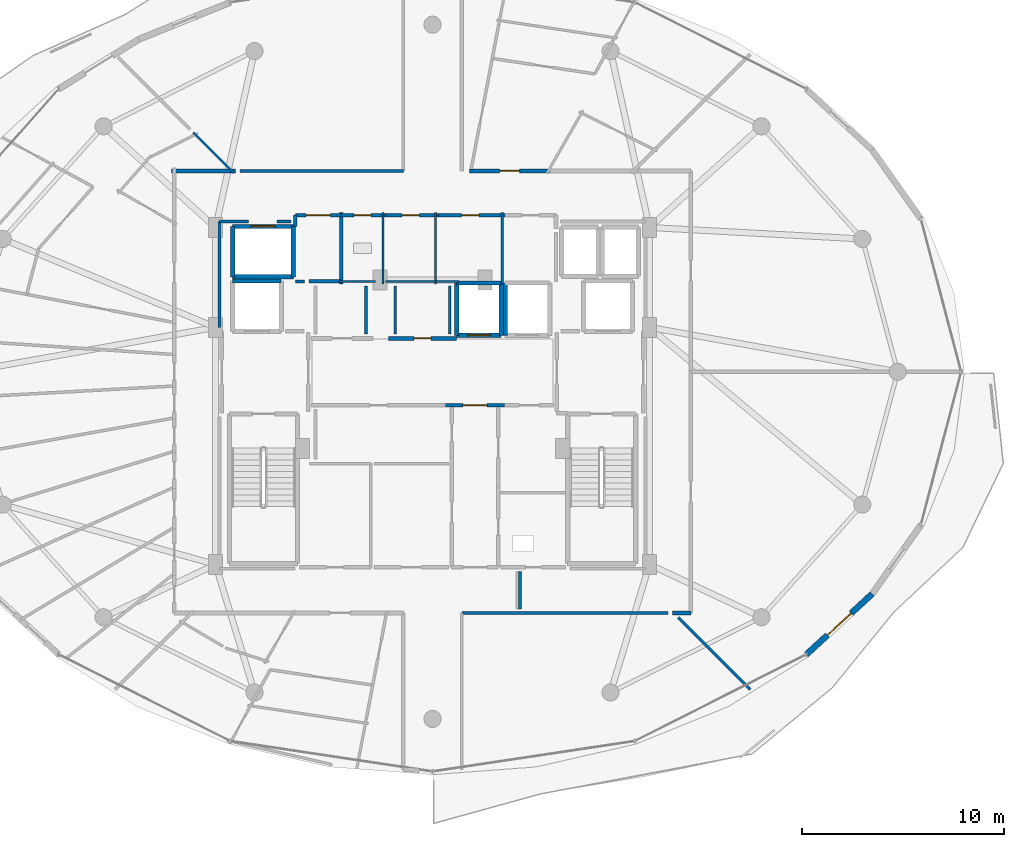
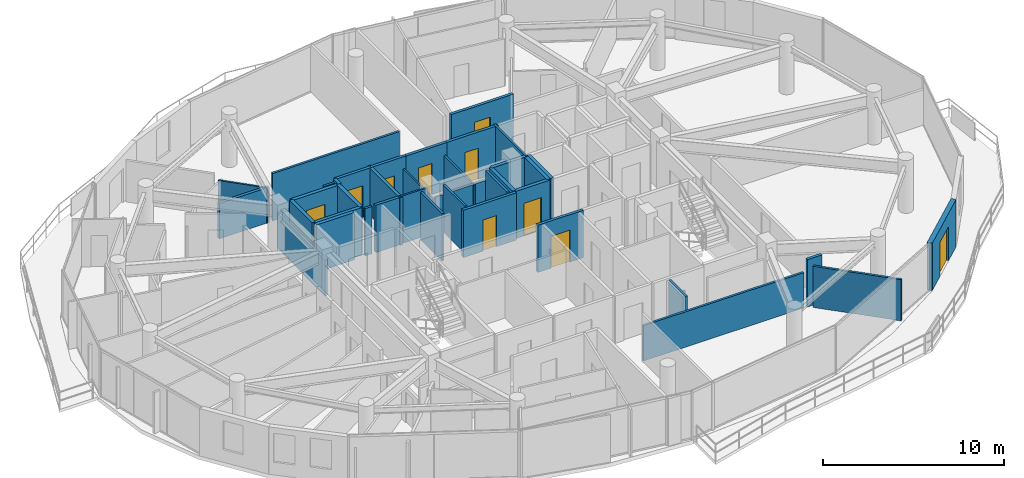
# One storey, part 19 of 25: 41 walls, 10 doors, 10 openings.
"""IFC4 building model written with IfcOpenShell, lengths in metres."""

from ifc_helpers import new_model, si_unit, direction, frame, frame_2d, origin, place, context, subcontext, project, spatial, rectangle, extrude, material, layer, layer_set, type_object, element, fill, save


model = new_model("IFC4")

# Units and contexts
model_context = context("Model", 3, precision=1e-05, world=origin(), true_north=direction((0.0, 1.0)))
body_context = subcontext(model_context, "Body", "Model", "MODEL_VIEW")
ifc_project = project(units=[si_unit("LENGTHUNIT", "METRE"), si_unit("AREAUNIT", "SQUARE_METRE"), si_unit("VOLUMEUNIT", "CUBIC_METRE"), si_unit("PLANEANGLEUNIT", "RADIAN"), si_unit("MASSUNIT", "GRAM", prefix="KILO")], contexts=[model_context])

# Site, building, storey
site_placement = place(None, origin())
site = spatial("IfcSite", under=ifc_project, at=site_placement, CompositionType="ELEMENT")
building_placement = place(site_placement, origin())
building = spatial("IfcBuilding", under=site, at=building_placement, Name="Vorneva Point Tower", CompositionType="ELEMENT")
storey_placement = place(building_placement, frame((0.0, 0.0, 276.85009765625)))
storey = spatial("IfcBuildingStorey", under=building, at=storey_placement, Name="L75", CompositionType="ELEMENT", Elevation=276.85009765625)

# Wall
ifc_material_1 = material(Name="Concrete B60 (C50/60)", Category="concrete")
ifc_layer_1 = layer(ifc_material_1, 0.35009765625)
ifc_layer_set_1 = layer_set([ifc_layer_1], Name="Concrete B60 (C50/60)")
wall_type_1 = type_object("IfcWallType", Name="WL-CORE-350", PredefinedType="SHEAR", material=ifc_layer_set_1)
wall_1_placement = place(storey_placement, frame((30.5, 30.5, 0.0), z_axis=(0.0, 0.0, 1.0), x_axis=(-1.0, 0.0, 0.0)))
element("IfcWall", 1, at=wall_1_placement, inside=storey, type_object=wall_type_1, Name="L75 Lift FFL1 Shaft Wall +Y", PredefinedType="SHEAR", context=body_context, shape_type="SweptSolid", body=[
    extrude(rectangle(XDim=2.39990234375, YDim=0.219970703125, at=frame_2d((1.199951171875, 0.0))), origin(), (0.0, 0.0, 1.0), 3.18994140625),
])

# Wall, opening, door
ifc_material_2 = material(Name="Precast concrete B50 (C40/50)", Category="concrete")
ifc_layer_2 = layer(ifc_material_2, 0.300048828125)
ifc_layer_set_2 = layer_set([ifc_layer_2], Name="Precast concrete B50 (C40/50)")
wall_type_2 = type_object("IfcWallType", Name="WL-EXT-300", PredefinedType="STANDARD", material=ifc_layer_set_2)
wall_2_placement = place(storey_placement, frame((56.526123046875, 11.9921875, 0.0), z_axis=(0.0, 0.0, 1.0), x_axis=(0.735445373611, 0.677584018727, 0.0)))
wall_2 = element("IfcWall", 2, at=wall_2_placement, inside=storey, type_object=wall_type_2, Name="L75 Pale-Metal Facade Spandrel Wall 15.1", PredefinedType="STANDARD", context=body_context, shape_type="SweptSolid", body=[
    extrude(rectangle(XDim=4.430419921875, YDim=0.300048828125, at=frame_2d((2.21533203125, 0.0))), origin(), (0.0, 0.0, 1.0), 3.18994140625),
])
opening_1_placement = place(wall_2_placement, frame((1.415283203125, 0.0, 0.0)))
opening_1 = element("IfcOpeningElement", 3, at=opening_1_placement, cuts=wall_2, Name="Opening BD-01", PredefinedType="OPENING", context=body_context, shape_type="SweptSolid", body=[
    extrude(rectangle(XDim=1.60009765625, YDim=2.300048828125, at=frame_2d((0.800048828125, 1.14990234375))), frame((0.0, 0.1650390625, 0.0), z_axis=(0.0, -1.0, 0.0), x_axis=(1.0, 0.0, 0.0)), (0.0, 0.0, 1.0), 0.329833984375),
])
ifc_material_3 = material(Name="Pale anodised aluminium", Category="aluminium")
door_type_1 = type_object("IfcDoorType", Name="DR-BAL-1600", OperationType="SLIDING_TO_LEFT", PredefinedType="DOOR", material=ifc_material_3)
door_1_placement = place(opening_1_placement, origin())
door_1 = element("IfcDoor", 4, at=door_1_placement, inside=storey, type_object=door_type_1, Name="L75 Balcony Terrace Access Door 15", OperationType="SLIDING_TO_LEFT", OverallHeight=2.300048828125, OverallWidth=1.60009765625, PredefinedType="DOOR", context=body_context, shape_type="SweptSolid", body=[
    extrude(rectangle(XDim=1.60009765625, YDim=2.300048828125, at=frame_2d((0.800048828125, 1.14990234375))), frame((0.0, 0.02490234375, 0.0), z_axis=(0.0, -1.0, 0.0), x_axis=(1.0, 0.0, 0.0)), (0.0, 0.0, 1.0), 0.050048828125),
])
fill(opening_1, door_1)

# Walls
ifc_material_4 = material(Name="Fire-rated acoustic gypsum stud partition", Category="gypsum")
ifc_layer_3 = layer(ifc_material_4, 0.110107421875)
ifc_layer_set_3 = layer_set([ifc_layer_3], Name="Fire-rated acoustic gypsum stud partition")
wall_type_3 = type_object("IfcWallType", Name="WL-PART-110", PredefinedType="PARTITIONING", material=ifc_layer_set_3)
wall_3_placement = place(storey_placement, frame((35.550048828125, 30.340087890625, 0.0), z_axis=(0.0, 0.0, 1.0), x_axis=(0.0, 1.0, 0.0)))
element("IfcWall", 5, at=wall_3_placement, inside=storey, type_object=wall_type_3, Name="L75 Interior Partition 022", PredefinedType="PARTITIONING", context=body_context, shape_type="SweptSolid", body=[
    extrude(rectangle(XDim=3.559814453125, YDim=0.110107421875, at=frame_2d((1.77978515625, 0.0))), origin(), (0.0, 0.0, 1.0), 2.3818359375),
])
wall_4_placement = place(storey_placement, frame((33.360107421875, 30.47998046875, 0.0), z_axis=(0.0, 0.0, 1.0), x_axis=(1.0, 0.0, 0.0)))
element("IfcWall", 6, at=wall_4_placement, inside=storey, type_object=wall_type_3, Name="L75 Interior Partition 023", PredefinedType="PARTITIONING", context=body_context, shape_type="SweptSolid", body=[
    extrude(rectangle(XDim=1.809814453125, YDim=0.110107421875, at=frame_2d((0.90478515625, 0.0))), origin(), (0.0, 0.0, 1.0), 3.18994140625),
])
wall_5_placement = place(storey_placement, frame((38.14990234375, 30.340087890625, 0.0), z_axis=(0.0, 0.0, 1.0), x_axis=(0.0, 1.0, 0.0)))
element("IfcWall", 7, at=wall_5_placement, inside=storey, type_object=wall_type_3, Name="L75 Interior Partition 025", PredefinedType="PARTITIONING", context=body_context, shape_type="SweptSolid", body=[
    extrude(rectangle(XDim=3.559814453125, YDim=0.110107421875, at=frame_2d((1.77978515625, 0.0))), origin(), (0.0, 0.0, 1.0), 2.3818359375),
])
wall_6_placement = place(storey_placement, frame((35.679931640625, 30.47998046875, 0.0), z_axis=(0.0, 0.0, 1.0), x_axis=(1.0, 0.0, 0.0)))
element("IfcWall", 8, at=wall_6_placement, inside=storey, type_object=wall_type_3, Name="L75 Interior Partition 026", PredefinedType="PARTITIONING", context=body_context, shape_type="SweptSolid", body=[
    extrude(rectangle(XDim=2.594970703125, YDim=0.110107421875, at=frame_2d((1.29736328125, 0.0))), origin(), (0.0, 0.0, 1.0), 2.3818359375),
])
wall_7_placement = place(storey_placement, frame((41.449951171875, 30.340087890625, 0.0), z_axis=(0.0, 0.0, 1.0), x_axis=(0.0, 1.0, 0.0)))
element("IfcWall", 9, at=wall_7_placement, inside=storey, type_object=wall_type_3, Name="L75 Interior Partition 028", PredefinedType="PARTITIONING", context=body_context, shape_type="SweptSolid", body=[
    extrude(rectangle(XDim=3.559814453125, YDim=0.110107421875, at=frame_2d((1.77978515625, 0.0))), origin(), (0.0, 0.0, 1.0), 3.18994140625),
])
wall_8_placement = place(storey_placement, frame((38.1650390625, 30.47998046875, 0.0), z_axis=(0.0, 0.0, 1.0), x_axis=(1.0, 0.0, 0.0)))
element("IfcWall", 10, at=wall_8_placement, inside=storey, type_object=wall_type_3, Name="L75 Interior Partition 029", PredefinedType="PARTITIONING", context=body_context, shape_type="SweptSolid", body=[
    extrude(rectangle(XDim=1.155029296875, YDim=0.110107421875, at=frame_2d((0.57763671875, 0.0))), origin(), (0.0, 0.0, 1.0), 2.3818359375),
])
wall_9_placement = place(storey_placement, frame((26.14404296875, 37.85595703125, 0.0), z_axis=(0.0, 0.0, 1.0), x_axis=(0.707106781187, -0.707106781187, 0.0)))
element("IfcWall", 11, at=wall_9_placement, inside=storey, type_object=wall_type_3, Name="L75 Interior Partition 078", PredefinedType="PARTITIONING", context=body_context, shape_type="SweptSolid", body=[
    extrude(rectangle(XDim=2.83544921875, YDim=0.110107421875, at=frame_2d((1.417724609375, 0.0))), origin(), (0.0, 0.0, 1.0), 2.3818359375),
])
ifc_layer_4 = layer(ifc_material_4, 0.139892578125)
ifc_layer_set_4 = layer_set([ifc_layer_4], Name="Fire-rated acoustic gypsum stud partition")
wall_type_4 = type_object("IfcWallType", Name="WL-PART-140", PredefinedType="PARTITIONING", material=ifc_layer_set_4)
wall_10_placement = place(storey_placement, frame((31.199951171875, 30.47998046875, 0.0), z_axis=(0.0, 0.0, 1.0), x_axis=(1.0, 0.0, 0.0)))
element("IfcWall", 12, at=wall_10_placement, inside=storey, type_object=wall_type_4, Name="L75 Interior Closure Partition 111", PredefinedType="PARTITIONING", context=body_context, shape_type="SweptSolid", body=[
    extrude(rectangle(XDim=0.449951171875, YDim=0.139892578125, at=frame_2d((0.22509765625, 0.0))), origin(), (0.0, 0.0, 1.0), 3.18994140625),
])
for number, where, z_axis, x_axis, name in (
    (13, (34.699951171875, 27.8701171875, 0.0), (0.0, 0.0, 1.0), (0.0, 1.0, 0.0), "L75 Interior Closure Partition 114"),
    (14, (36.14990234375, 30.260009765625, 0.0), (0.0, 0.0, 1.0), (0.0, -1.0, 0.0), "L75 Interior Closure Partition 115"),
    (15, (38.85009765625, 27.8701171875, 0.0), (0.0, 0.0, 1.0), (0.0, 1.0, 0.0), "L75 Interior Closure Partition 116"),
):
    element("IfcWall", number, at=place(storey_placement, frame(where, z_axis=z_axis, x_axis=x_axis)), inside=storey, type_object=wall_type_4, Name=name, PredefinedType="PARTITIONING", context=body_context, shape_type="SweptSolid", body=[
        extrude(rectangle(XDim=2.389892578125, YDim=0.139892578125, at=frame_2d((1.19482421875, 0.0))), origin(), (0.0, 0.0, 1.0), 3.18994140625),
    ])
wall_11_placement = place(storey_placement, frame((36.550048828125, 35.949951171875, 0.0), z_axis=(0.0, 0.0, 1.0), x_axis=(-1.0, 0.0, 0.0)))
element("IfcWall", 16, at=wall_11_placement, inside=storey, type_object=wall_type_4, Name="L75 Interior Closure Partition 119", PredefinedType="PARTITIONING", context=body_context, shape_type="SweptSolid", body=[
    extrude(rectangle(XDim=8.080078125, YDim=0.139892578125, at=frame_2d((4.0400390625, 0.0))), origin(), (0.0, 0.0, 1.0), 3.18994140625),
])
wall_12_placement = place(storey_placement, frame((39.449951171875, 14.050048828125, 0.0), z_axis=(0.0, 0.0, 1.0), x_axis=(1.0, 0.0, 0.0)))
element("IfcWall", 17, at=wall_12_placement, inside=storey, type_object=wall_type_4, Name="L75 Interior Closure Partition 121", PredefinedType="PARTITIONING", context=body_context, shape_type="SweptSolid", body=[
    extrude(rectangle(XDim=10.219970703125, YDim=0.139892578125, at=frame_2d((5.10986328125, 0.0))), origin(), (0.0, 0.0, 1.0), 2.3818359375),
])
wall_13_placement = place(storey_placement, frame((30.97998046875, 33.449951171875, 0.0), z_axis=(0.0, 0.0, 1.0), x_axis=(-1.0, 0.0, 0.0)))
element("IfcWall", 18, at=wall_13_placement, inside=storey, type_object=wall_type_4, Name="L75 Interior Closure Partition 126", PredefinedType="PARTITIONING", context=body_context, shape_type="SweptSolid", body=[
    extrude(rectangle(XDim=0.674072265625, YDim=0.139892578125, at=frame_2d((0.3369140625, 0.0))), origin(), (0.0, 0.0, 1.0), 3.18994140625),
])
wall_14_placement = place(storey_placement, frame((28.89404296875, 33.449951171875, 0.0), z_axis=(0.0, 0.0, 1.0), x_axis=(-1.0, 0.0, 0.0)))
element("IfcWall", 19, at=wall_14_placement, inside=storey, type_object=wall_type_4, Name="L75 Interior Closure Partition 127", PredefinedType="PARTITIONING", context=body_context, shape_type="SweptSolid", body=[
    extrude(rectangle(XDim=1.444091796875, YDim=0.139892578125, at=frame_2d((0.72216796875, 0.0))), origin(), (0.0, 0.0, 1.0), 2.3818359375),
])
wall_15_placement = place(storey_placement, frame((27.449951171875, 33.449951171875, 0.0), z_axis=(0.0, 0.0, 1.0), x_axis=(0.0, -1.0, 0.0)))
element("IfcWall", 20, at=wall_15_placement, inside=storey, type_object=wall_type_4, Name="L75 Interior Closure Partition 128", PredefinedType="PARTITIONING", context=body_context, shape_type="SweptSolid", body=[
    extrude(rectangle(XDim=5.25390625, YDim=0.139892578125, at=frame_2d((2.626953125, 0.0))), origin(), (0.0, 0.0, 1.0), 2.3818359375),
])
wall_16_placement = place(storey_placement, frame((42.340087890625, 14.25, 0.0), z_axis=(0.0, 0.0, 1.0), x_axis=(0.0, 1.0, 0.0)))
element("IfcWall", 21, at=wall_16_placement, inside=storey, type_object=wall_type_4, Name="L75 Interior Closure Partition 132", PredefinedType="PARTITIONING", context=body_context, shape_type="SweptSolid", body=[
    extrude(rectangle(XDim=1.85009765625, YDim=0.139892578125, at=frame_2d((0.925048828125, 0.0))), origin(), (0.0, 0.0, 1.0), 3.18994140625),
])
wall_17_placement = place(storey_placement, frame((50.169921875, 13.830078125, 0.0), z_axis=(0.0, 0.0, 1.0), x_axis=(0.707106781187, -0.707106781187, 0.0)))
element("IfcWall", 22, at=wall_17_placement, inside=storey, type_object=wall_type_4, Name="L75 Interior Closure Partition 134", PredefinedType="PARTITIONING", context=body_context, shape_type="SweptSolid", body=[
    extrude(rectangle(XDim=5.044677734375, YDim=0.139892578125, at=frame_2d((2.5224609375, 0.0))), origin(), (0.0, 0.0, 1.0), 2.77392578125),
])
ifc_material_5 = material(Name="Autoclaved aerated concrete blockwork", Category="masonry")
ifc_layer_5 = layer(ifc_material_5, 0.179931640625)
ifc_layer_set_5 = layer_set([ifc_layer_5], Name="Autoclaved aerated concrete blockwork")
wall_type_5 = type_object("IfcWallType", Name="WL-PART-180", PredefinedType="PARTITIONING", material=ifc_layer_set_5)
wall_18_placement = place(storey_placement, frame((33.469970703125, 30.340087890625, 0.0), z_axis=(0.0, 0.0, 1.0), x_axis=(0.0, 1.0, 0.0)))
element("IfcWall", 23, at=wall_18_placement, inside=storey, type_object=wall_type_5, Name="L75 Interior Partition 006", PredefinedType="PARTITIONING", context=body_context, shape_type="SweptSolid", body=[
    extrude(rectangle(XDim=3.559814453125, YDim=0.179931640625, at=frame_2d((1.77978515625, 0.0))), origin(), (0.0, 0.0, 1.0), 3.18994140625),
])
wall_19_placement = place(storey_placement, frame((31.8701171875, 30.47998046875, 0.0), z_axis=(0.0, 0.0, 1.0), x_axis=(1.0, 0.0, 0.0)))
element("IfcWall", 24, at=wall_19_placement, inside=storey, type_object=wall_type_5, Name="L75 Interior Partition 007", PredefinedType="PARTITIONING", context=body_context, shape_type="SweptSolid", body=[
    extrude(rectangle(XDim=1.599853515625, YDim=0.179931640625, at=frame_2d((0.7998046875, 0.0))), origin(), (0.0, 0.0, 1.0), 3.18994140625),
])

# Wall, opening, door
wall_20_placement = place(storey_placement, frame((33.469970703125, 33.760009765625, 0.0), z_axis=(0.0, 0.0, 1.0), x_axis=(-1.0, 0.0, 0.0)))
wall_20 = element("IfcWall", 25, at=wall_20_placement, inside=storey, type_object=wall_type_5, Name="L75 Interior Partition 008", PredefinedType="PARTITIONING", context=body_context, shape_type="SweptSolid", body=[
    extrude(rectangle(XDim=2.27001953125, YDim=0.179931640625, at=frame_2d((1.135009765625, 0.0))), origin(), (0.0, 0.0, 1.0), 3.18994140625),
])
opening_2_placement = place(wall_20_placement, frame((0.534912109375, 0.0, 0.0)))
opening_2 = element("IfcOpeningElement", 26, at=opening_2_placement, cuts=wall_20, Name="Opening FD-02", PredefinedType="OPENING", context=body_context, shape_type="SweptSolid", body=[
    extrude(rectangle(XDim=1.199951171875, YDim=2.14990234375, at=frame_2d((0.60009765625, 1.074951171875))), frame((0.0, 0.10498046875, 0.0), z_axis=(0.0, -1.0, 0.0), x_axis=(1.0, 0.0, 0.0)), (0.0, 0.0, 1.0), 0.209716796875),
])
ifc_material_6 = material(Name="Fire-rated powder-coated steel", Category="steel")
door_type_2 = type_object("IfcDoorType", Name="DR-FFL-1200", OperationType="NOTDEFINED", PredefinedType="DOOR", material=ifc_material_6)
door_2_placement = place(opening_2_placement, origin())
door_2 = element("IfcDoor", 27, at=door_2_placement, inside=storey, type_object=door_type_2, Name="L75 Door Service Lift Lobby / L75 Circulation Corridor", OperationType="SINGLE_SWING_RIGHT", OverallHeight=2.14990234375, OverallWidth=1.199951171875, PredefinedType="DOOR", context=body_context, shape_type="SweptSolid", body=[
    extrude(rectangle(XDim=1.199951171875, YDim=2.14990234375, at=frame_2d((0.60009765625, 1.074951171875))), frame((0.0, 0.02490234375, 0.0), z_axis=(0.0, -1.0, 0.0), x_axis=(1.0, 0.0, 0.0)), (0.0, 0.0, 1.0), 0.050048828125),
])
fill(opening_2, door_2)

# Wall
wall_21_placement = place(storey_placement, frame((31.199951171875, 33.760009765625, 0.0), z_axis=(0.0, 0.0, 1.0), x_axis=(0.0, -1.0, 0.0)))
element("IfcWall", 28, at=wall_21_placement, inside=storey, type_object=wall_type_5, Name="L75 Interior Partition 009", PredefinedType="PARTITIONING", context=body_context, shape_type="SweptSolid", body=[
    extrude(rectangle(XDim=0.56005859375, YDim=0.179931640625, at=frame_2d((0.280029296875, 0.0))), origin(), (0.0, 0.0, 1.0), 3.18994140625),
])

# Wall, opening, door
wall_22_placement = place(storey_placement, frame((38.64501953125, 24.35009765625, 0.0), z_axis=(0.0, 0.0, 1.0), x_axis=(1.0, 0.0, 0.0)))
wall_22 = element("IfcWall", 29, at=wall_22_placement, inside=storey, type_object=wall_type_5, Name="L75 Interior Partition 010", PredefinedType="PARTITIONING", context=body_context, shape_type="SweptSolid", body=[
    extrude(rectangle(XDim=2.909912109375, YDim=0.179931640625, at=frame_2d((1.455078125, 0.0))), origin(), (0.0, 0.0, 1.0), 3.18994140625),
])
opening_3_placement = place(wall_22_placement, frame((0.85498046875, 0.0, 0.0)))
opening_3 = element("IfcOpeningElement", 30, at=opening_3_placement, cuts=wall_22, Name="Opening FD-02", PredefinedType="OPENING", context=body_context, shape_type="SweptSolid", body=[
    extrude(rectangle(XDim=1.199951171875, YDim=2.14990234375, at=frame_2d((0.60009765625, 1.074951171875))), frame((0.0, 0.10498046875, 0.0), z_axis=(0.0, -1.0, 0.0), x_axis=(1.0, 0.0, 0.0)), (0.0, 0.0, 1.0), 0.209716796875),
])
door_3_placement = place(opening_3_placement, origin())
door_3 = element("IfcDoor", 31, at=door_3_placement, inside=storey, type_object=door_type_2, Name="L75 Door Central Lift Lobby / Core Service Lobby", OperationType="SINGLE_SWING_LEFT", OverallHeight=2.14990234375, OverallWidth=1.199951171875, PredefinedType="DOOR", context=body_context, shape_type="SweptSolid", body=[
    extrude(rectangle(XDim=1.199951171875, YDim=2.14990234375, at=frame_2d((0.60009765625, 1.074951171875))), frame((0.0, 0.02490234375, 0.0), z_axis=(0.0, -1.0, 0.0), x_axis=(1.0, 0.0, 0.0)), (0.0, 0.0, 1.0), 0.050048828125),
])
fill(opening_3, door_3)

wall_23_placement = place(storey_placement, frame((39.18994140625, 27.64990234375, 0.0), z_axis=(0.0, 0.0, 1.0), x_axis=(-1.0, 0.0, 0.0)))
wall_23 = element("IfcWall", 32, at=wall_23_placement, inside=storey, type_object=wall_type_5, Name="L75 Interior Partition 013", PredefinedType="PARTITIONING", context=body_context, shape_type="SweptSolid", body=[
    extrude(rectangle(XDim=3.3798828125, YDim=0.179931640625, at=frame_2d((1.68994140625, 0.0))), origin(), (0.0, 0.0, 1.0), 3.18994140625),
])
opening_4_placement = place(wall_23_placement, frame((1.264892578125, 0.0, 0.0)))
opening_4 = element("IfcOpeningElement", 33, at=opening_4_placement, cuts=wall_23, Name="Opening ID-02", PredefinedType="OPENING", context=body_context, shape_type="SweptSolid", body=[
    extrude(rectangle(XDim=0.85009765625, YDim=2.10009765625, at=frame_2d((0.425048828125, 1.050048828125))), frame((0.0, 0.10498046875, 0.0), z_axis=(0.0, -1.0, 0.0), x_axis=(1.0, 0.0, 0.0)), (0.0, 0.0, 1.0), 0.209716796875),
])
ifc_material_7 = material(Name="Engineered oak fire-rated door leaf", Category="wood")
door_type_3 = type_object("IfcDoorType", Name="DR-BATH-850", OperationType="NOTDEFINED", PredefinedType="DOOR", material=ifc_material_7)
door_4_placement = place(opening_4_placement, origin())
door_4 = element("IfcDoor", 34, at=door_4_placement, inside=storey, type_object=door_type_3, Name="L75 Door Central Lift Lobby / Reclaimed Core Archive Store", OperationType="SINGLE_SWING_RIGHT", OverallHeight=2.10009765625, OverallWidth=0.85009765625, PredefinedType="DOOR", context=body_context, shape_type="SweptSolid", body=[
    extrude(rectangle(XDim=0.85009765625, YDim=2.10009765625, at=frame_2d((0.425048828125, 1.050048828125))), frame((0.0, 0.02490234375, 0.0), z_axis=(0.0, -1.0, 0.0), x_axis=(1.0, 0.0, 0.0)), (0.0, 0.0, 1.0), 0.050048828125),
])
fill(opening_4, door_4)

wall_24_placement = place(storey_placement, frame((35.68994140625, 33.760009765625, 0.0), z_axis=(0.0, 0.0, 1.0), x_axis=(-1.0, 0.0, 0.0)))
wall_24 = element("IfcWall", 35, at=wall_24_placement, inside=storey, type_object=wall_type_5, Name="L75 Interior Partition 024", PredefinedType="PARTITIONING", context=body_context, shape_type="SweptSolid", body=[
    extrude(rectangle(XDim=2.329833984375, YDim=0.179931640625, at=frame_2d((1.1650390625, 0.0))), origin(), (0.0, 0.0, 1.0), 3.18994140625),
])
opening_5_placement = place(wall_24_placement, frame((0.739990234375, 0.0, 0.0)))
opening_5 = element("IfcOpeningElement", 36, at=opening_5_placement, cuts=wall_24, Name="Opening ID-02", PredefinedType="OPENING", context=body_context, shape_type="SweptSolid", body=[
    extrude(rectangle(XDim=0.85009765625, YDim=2.10009765625, at=frame_2d((0.425048828125, 1.050048828125))), frame((0.0, 0.10498046875, 0.0), z_axis=(0.0, -1.0, 0.0), x_axis=(1.0, 0.0, 0.0)), (0.0, 0.0, 1.0), 0.209716796875),
])
door_5_placement = place(opening_5_placement, origin())
door_5 = element("IfcDoor", 37, at=door_5_placement, inside=storey, type_object=door_type_3, Name="L75 Door Accessible WC / L75 Circulation Corridor", OperationType="SINGLE_SWING_RIGHT", OverallHeight=2.10009765625, OverallWidth=0.85009765625, PredefinedType="DOOR", context=body_context, shape_type="SweptSolid", body=[
    extrude(rectangle(XDim=0.85009765625, YDim=2.10009765625, at=frame_2d((0.425048828125, 1.050048828125))), frame((0.0, 0.02490234375, 0.0), z_axis=(0.0, -1.0, 0.0), x_axis=(1.0, 0.0, 0.0)), (0.0, 0.0, 1.0), 0.050048828125),
])
fill(opening_5, door_5)

wall_25_placement = place(storey_placement, frame((38.2900390625, 33.760009765625, 0.0), z_axis=(0.0, 0.0, 1.0), x_axis=(-1.0, 0.0, 0.0)))
wall_25 = element("IfcWall", 38, at=wall_25_placement, inside=storey, type_object=wall_type_5, Name="L75 Interior Partition 027", PredefinedType="PARTITIONING", context=body_context, shape_type="SweptSolid", body=[
    extrude(rectangle(XDim=2.739990234375, YDim=0.179931640625, at=frame_2d((1.3701171875, 0.0))), origin(), (0.0, 0.0, 1.0), 3.18994140625),
])
opening_6_placement = place(wall_25_placement, frame((0.945068359375, 0.0, 0.0)))
opening_6 = element("IfcOpeningElement", 39, at=opening_6_placement, cuts=wall_25, Name="Opening ID-02", PredefinedType="OPENING", context=body_context, shape_type="SweptSolid", body=[
    extrude(rectangle(XDim=0.85009765625, YDim=2.10009765625, at=frame_2d((0.425048828125, 1.050048828125))), frame((0.0, 0.10498046875, 0.0), z_axis=(0.0, -1.0, 0.0), x_axis=(1.0, 0.0, 0.0)), (0.0, 0.0, 1.0), 0.209716796875),
])
door_6_placement = place(opening_6_placement, origin())
door_6 = element("IfcDoor", 40, at=door_6_placement, inside=storey, type_object=door_type_3, Name="L75 Door Public Male WC / L75 Circulation Corridor", OperationType="SINGLE_SWING_LEFT", OverallHeight=2.10009765625, OverallWidth=0.85009765625, PredefinedType="DOOR", context=body_context, shape_type="SweptSolid", body=[
    extrude(rectangle(XDim=0.85009765625, YDim=2.10009765625, at=frame_2d((0.425048828125, 1.050048828125))), frame((0.0, 0.02490234375, 0.0), z_axis=(0.0, -1.0, 0.0), x_axis=(1.0, 0.0, 0.0)), (0.0, 0.0, 1.0), 0.050048828125),
])
fill(opening_6, door_6)

wall_26_placement = place(storey_placement, frame((41.590087890625, 33.760009765625, 0.0), z_axis=(0.0, 0.0, 1.0), x_axis=(-1.0, 0.0, 0.0)))
wall_26 = element("IfcWall", 41, at=wall_26_placement, inside=storey, type_object=wall_type_5, Name="L75 Interior Partition 030", PredefinedType="PARTITIONING", context=body_context, shape_type="SweptSolid", body=[
    extrude(rectangle(XDim=3.440185546875, YDim=0.179931640625, at=frame_2d((1.72021484375, 0.0))), origin(), (0.0, 0.0, 1.0), 3.18994140625),
])
opening_7_placement = place(wall_26_placement, frame((1.294921875, 0.0, 0.0)))
opening_7 = element("IfcOpeningElement", 42, at=opening_7_placement, cuts=wall_26, Name="Opening ID-02", PredefinedType="OPENING", context=body_context, shape_type="SweptSolid", body=[
    extrude(rectangle(XDim=0.85009765625, YDim=2.10009765625, at=frame_2d((0.425048828125, 1.050048828125))), frame((0.0, 0.10498046875, 0.0), z_axis=(0.0, -1.0, 0.0), x_axis=(1.0, 0.0, 0.0)), (0.0, 0.0, 1.0), 0.209716796875),
])
door_7_placement = place(opening_7_placement, origin())
door_7 = element("IfcDoor", 43, at=door_7_placement, inside=storey, type_object=door_type_3, Name="L75 Door Public Female WC / L75 Circulation Corridor", OperationType="SINGLE_SWING_RIGHT", OverallHeight=2.10009765625, OverallWidth=0.85009765625, PredefinedType="DOOR", context=body_context, shape_type="SweptSolid", body=[
    extrude(rectangle(XDim=0.85009765625, YDim=2.10009765625, at=frame_2d((0.425048828125, 1.050048828125))), frame((0.0, 0.02490234375, 0.0), z_axis=(0.0, -1.0, 0.0), x_axis=(1.0, 0.0, 0.0)), (0.0, 0.0, 1.0), 0.050048828125),
])
fill(opening_7, door_7)

wall_27_placement = place(storey_placement, frame((43.802978515625, 35.949951171875, 0.0), z_axis=(0.0, 0.0, 1.0), x_axis=(-1.0, 0.0, 0.0)))
wall_27 = element("IfcWall", 44, at=wall_27_placement, inside=storey, type_object=wall_type_5, Name="L75 Interior Partition 038", PredefinedType="PARTITIONING", context=body_context, shape_type="SweptSolid", body=[
    extrude(rectangle(XDim=3.965087890625, YDim=0.179931640625, at=frame_2d((1.982421875, 0.0))), origin(), (0.0, 0.0, 1.0), 3.18994140625),
])
opening_8_placement = place(wall_27_placement, frame((1.482421875, 0.0, 0.0)))
opening_8 = element("IfcOpeningElement", 45, at=opening_8_placement, cuts=wall_27, Name="Opening UD-01", PredefinedType="OPENING", context=body_context, shape_type="SweptSolid", body=[
    extrude(rectangle(XDim=1.0, YDim=2.14990234375, at=frame_2d((0.5, 1.074951171875))), frame((0.0, 0.10498046875, 0.0), z_axis=(0.0, -1.0, 0.0), x_axis=(1.0, 0.0, 0.0)), (0.0, 0.0, 1.0), 0.209716796875),
])
door_type_4 = type_object("IfcDoorType", Name="DR-UNIT-1000", OperationType="NOTDEFINED", PredefinedType="DOOR", material=ifc_material_7)
door_8_placement = place(opening_8_placement, origin())
door_8 = element("IfcDoor", 46, at=door_8_placement, inside=storey, type_object=door_type_4, Name="L75 Door L75 Circulation Corridor / Living and Dining Room L75-01", OperationType="SINGLE_SWING_RIGHT", OverallHeight=2.14990234375, OverallWidth=1.0, PredefinedType="DOOR", context=body_context, shape_type="SweptSolid", body=[
    extrude(rectangle(XDim=1.0, YDim=2.14990234375, at=frame_2d((0.5, 1.074951171875))), frame((0.0, 0.02490234375, 0.0), z_axis=(0.0, -1.0, 0.0), x_axis=(1.0, 0.0, 0.0)), (0.0, 0.0, 1.0), 0.050048828125),
])
fill(opening_8, door_8)

# Walls
wall_28_placement = place(storey_placement, frame((28.25, 35.949951171875, 0.0), z_axis=(0.0, 0.0, 1.0), x_axis=(-1.0, 0.0, 0.0)))
element("IfcWall", 47, at=wall_28_placement, inside=storey, type_object=wall_type_5, Name="L75 Interior Partition 043", PredefinedType="PARTITIONING", context=body_context, shape_type="SweptSolid", body=[
    extrude(rectangle(XDim=3.18994140625, YDim=0.179931640625, at=frame_2d((1.594970703125, 0.0))), origin(), (0.0, 0.0, 1.0), 2.3818359375),
])
wall_29_placement = place(storey_placement, frame((49.889892578125, 14.050048828125, 0.0), z_axis=(0.0, 0.0, 1.0), x_axis=(1.0, 0.0, 0.0)))
element("IfcWall", 48, at=wall_29_placement, inside=storey, type_object=wall_type_5, Name="L75 Interior Partition 059", PredefinedType="PARTITIONING", context=body_context, shape_type="SweptSolid", body=[
    extrude(rectangle(XDim=0.91015625, YDim=0.179931640625, at=frame_2d((0.455078125, 0.0))), origin(), (0.0, 0.0, 1.0), 3.18994140625),
])

# Wall, opening, door
ifc_material_8 = material(Name="Concrete B50 (C40/50)", Category="concrete")
ifc_layer_6 = layer(ifc_material_8, 0.219970703125)
ifc_layer_set_6 = layer_set([ifc_layer_6], Name="Concrete B50 (C40/50)")
wall_type_6 = type_object("IfcWallType", Name="WL-SHFT-220", PredefinedType="SOLIDWALL", material=ifc_layer_set_6)
wall_30_placement = place(storey_placement, frame((39.199951171875, 27.800048828125, 0.0), z_axis=(0.0, 0.0, 1.0), x_axis=(1.0, 0.0, 0.0)))
wall_30 = element("IfcWall", 49, at=wall_30_placement, inside=storey, type_object=wall_type_6, Name="L75 Lift PL7 Shaft Wall -Y", PredefinedType="SOLIDWALL", context=body_context, shape_type="SweptSolid", body=[
    extrude(rectangle(XDim=2.199951171875, YDim=0.219970703125, at=frame_2d((1.10009765625, 0.0))), origin(), (0.0, 0.0, 1.0), 3.18994140625),
])
opening_9_placement = place(wall_30_placement, frame((0.550048828125, 0.0, 0.0)))
opening_9 = element("IfcOpeningElement", 50, at=opening_9_placement, cuts=wall_30, Name="Opening LD-01", PredefinedType="OPENING", context=body_context, shape_type="SweptSolid", body=[
    extrude(rectangle(XDim=1.10009765625, YDim=2.199951171875, at=frame_2d((0.550048828125, 1.10009765625))), frame((0.0, 0.125, 0.0), z_axis=(0.0, -1.0, 0.0), x_axis=(1.0, 0.0, 0.0)), (0.0, 0.0, 1.0), 0.249755859375),
])
ifc_material_9 = material(Name="Brushed stainless steel S304", Category="steel")
door_type_5 = type_object("IfcDoorType", Name="LD-PASS-1100", OperationType="SLIDING_TO_LEFT", PredefinedType="DOOR", material=ifc_material_9)
door_9_placement = place(opening_9_placement, origin())
door_9 = element("IfcDoor", 51, at=door_9_placement, inside=storey, type_object=door_type_5, Name="L75 Lift PL7 Sliding Landing Door", OperationType="SLIDING_TO_LEFT", OverallHeight=2.199951171875, OverallWidth=1.10009765625, PredefinedType="DOOR", context=body_context, shape_type="SweptSolid", body=[
    extrude(rectangle(XDim=1.10009765625, YDim=2.199951171875, at=frame_2d((0.550048828125, 1.10009765625))), frame((0.0, 0.02490234375, 0.0), z_axis=(0.0, -1.0, 0.0), x_axis=(1.0, 0.0, 0.0)), (0.0, 0.0, 1.0), 0.050048828125),
])
fill(opening_9, door_9)

# Walls
wall_31_placement = place(storey_placement, frame((41.39990234375, 27.800048828125, 0.0), z_axis=(0.0, 0.0, 1.0), x_axis=(0.0, 1.0, 0.0)))
element("IfcWall", 52, at=wall_31_placement, inside=storey, type_object=wall_type_6, Name="L75 Lift PL7 Shaft Wall +X", PredefinedType="SOLIDWALL", context=body_context, shape_type="SweptSolid", body=[
    extrude(rectangle(XDim=2.599853515625, YDim=0.219970703125, at=frame_2d((1.2998046875, 0.0))), origin(), (0.0, 0.0, 1.0), 3.18994140625),
])
wall_32_placement = place(storey_placement, frame((41.39990234375, 30.39990234375, 0.0), z_axis=(0.0, 0.0, 1.0), x_axis=(-1.0, 0.0, 0.0)))
element("IfcWall", 53, at=wall_32_placement, inside=storey, type_object=wall_type_6, Name="L75 Lift PL7 Shaft Wall +Y", PredefinedType="SOLIDWALL", context=body_context, shape_type="SweptSolid", body=[
    extrude(rectangle(XDim=2.199951171875, YDim=0.219970703125, at=frame_2d((1.10009765625, 0.0))), origin(), (0.0, 0.0, 1.0), 3.18994140625),
])
for number, where, z_axis, x_axis, name in (
    (54, (39.199951171875, 30.39990234375, 0.0), (0.0, 0.0, 1.0), (0.0, -1.0, 0.0), "L75 Lift PL7 Shaft Wall -X"),
    (55, (41.60009765625, 30.39990234375, 0.0), (0.0, 0.0, 1.0), (0.0, -1.0, 0.0), "L75 Lift PL8 Shaft Wall -X"),
):
    element("IfcWall", number, at=place(storey_placement, frame(where, z_axis=z_axis, x_axis=x_axis)), inside=storey, type_object=wall_type_6, Name=name, PredefinedType="SOLIDWALL", context=body_context, shape_type="SweptSolid", body=[
        extrude(rectangle(XDim=2.599853515625, YDim=0.219970703125, at=frame_2d((1.2998046875, 0.0))), origin(), (0.0, 0.0, 1.0), 3.18994140625),
    ])
wall_33_placement = place(storey_placement, frame((28.10009765625, 30.699951171875, 0.0), z_axis=(0.0, 0.0, 1.0), x_axis=(1.0, 0.0, 0.0)))
element("IfcWall", 56, at=wall_33_placement, inside=storey, type_object=wall_type_6, Name="L75 Lift SVL1 Shaft Wall -Y", PredefinedType="SOLIDWALL", context=body_context, shape_type="SweptSolid", body=[
    extrude(rectangle(XDim=3.0, YDim=0.219970703125, at=frame_2d((1.5, 0.0))), origin(), (0.0, 0.0, 1.0), 3.18994140625),
])
wall_34_placement = place(storey_placement, frame((31.10009765625, 30.699951171875, 0.0), z_axis=(0.0, 0.0, 1.0), x_axis=(0.0, 1.0, 0.0)))
element("IfcWall", 57, at=wall_34_placement, inside=storey, type_object=wall_type_6, Name="L75 Lift SVL1 Shaft Wall +X", PredefinedType="SOLIDWALL", context=body_context, shape_type="SweptSolid", body=[
    extrude(rectangle(XDim=2.5, YDim=0.219970703125, at=frame_2d((1.25, 0.0))), origin(), (0.0, 0.0, 1.0), 3.18994140625),
])

# Wall, opening, door
wall_35_placement = place(storey_placement, frame((31.10009765625, 33.199951171875, 0.0), z_axis=(0.0, 0.0, 1.0), x_axis=(-1.0, 0.0, 0.0)))
wall_35 = element("IfcWall", 58, at=wall_35_placement, inside=storey, type_object=wall_type_6, Name="L75 Lift SVL1 Shaft Wall +Y", PredefinedType="SOLIDWALL", context=body_context, shape_type="SweptSolid", body=[
    extrude(rectangle(XDim=3.0, YDim=0.219970703125, at=frame_2d((1.5, 0.0))), origin(), (0.0, 0.0, 1.0), 3.18994140625),
])
opening_10_placement = place(wall_35_placement, frame((0.89990234375, 0.0, 0.0)))
opening_10 = element("IfcOpeningElement", 59, at=opening_10_placement, cuts=wall_35, Name="Opening LD-02", PredefinedType="OPENING", context=body_context, shape_type="SweptSolid", body=[
    extrude(rectangle(XDim=1.199951171875, YDim=2.199951171875, at=frame_2d((0.60009765625, 1.10009765625))), frame((0.0, 0.125, 0.0), z_axis=(0.0, -1.0, 0.0), x_axis=(1.0, 0.0, 0.0)), (0.0, 0.0, 1.0), 0.249755859375),
])
door_type_6 = type_object("IfcDoorType", Name="LD-FIRE-1200", OperationType="SLIDING_TO_LEFT", PredefinedType="DOOR", material=ifc_material_9)
door_10_placement = place(opening_10_placement, origin())
door_10 = element("IfcDoor", 60, at=door_10_placement, inside=storey, type_object=door_type_6, Name="L75 Lift SVL1 Sliding Landing Door", OperationType="SLIDING_TO_LEFT", OverallHeight=2.199951171875, OverallWidth=1.199951171875, PredefinedType="DOOR", context=body_context, shape_type="SweptSolid", body=[
    extrude(rectangle(XDim=1.199951171875, YDim=2.199951171875, at=frame_2d((0.60009765625, 1.10009765625))), frame((0.0, 0.02490234375, 0.0), z_axis=(0.0, -1.0, 0.0), x_axis=(1.0, 0.0, 0.0)), (0.0, 0.0, 1.0), 0.050048828125),
])
fill(opening_10, door_10)

# Wall
wall_36_placement = place(storey_placement, frame((28.10009765625, 33.199951171875, 0.0), z_axis=(0.0, 0.0, 1.0), x_axis=(0.0, -1.0, 0.0)))
element("IfcWall", 61, at=wall_36_placement, inside=storey, type_object=wall_type_6, Name="L75 Lift SVL1 Shaft Wall -X", PredefinedType="SOLIDWALL", context=body_context, shape_type="SweptSolid", body=[
    extrude(rectangle(XDim=2.5, YDim=0.219970703125, at=frame_2d((1.25, 0.0))), origin(), (0.0, 0.0, 1.0), 3.18994140625),
])

save(model, "model.ifc")
